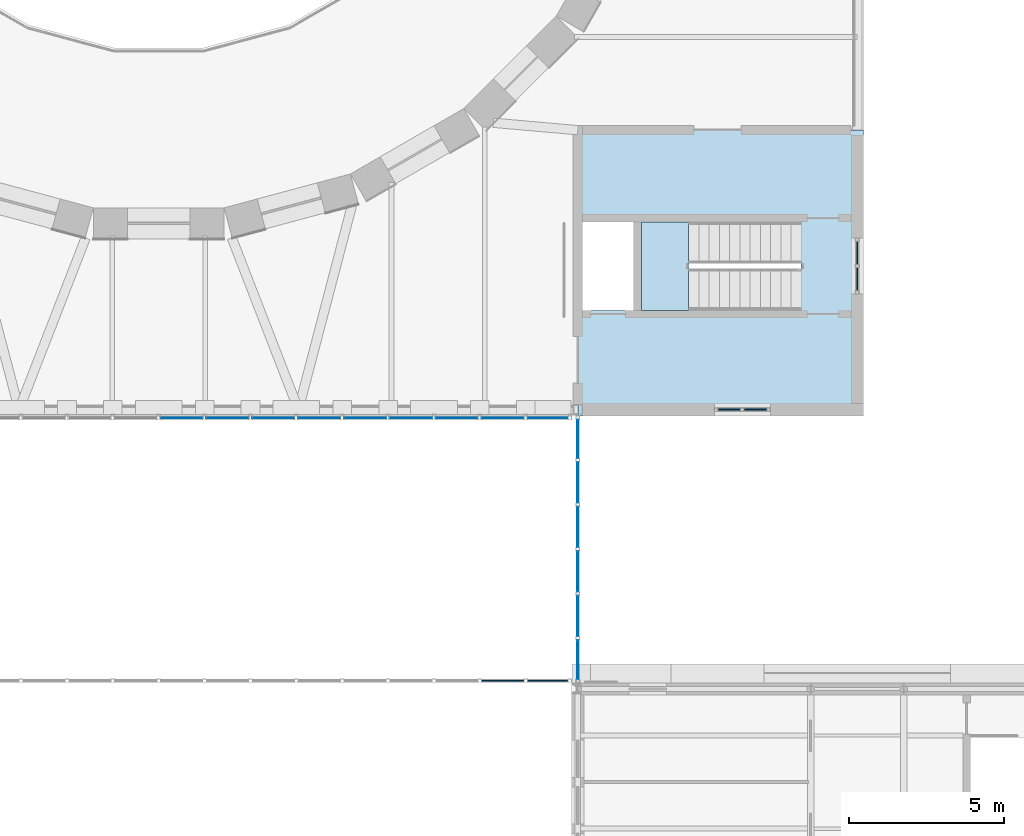
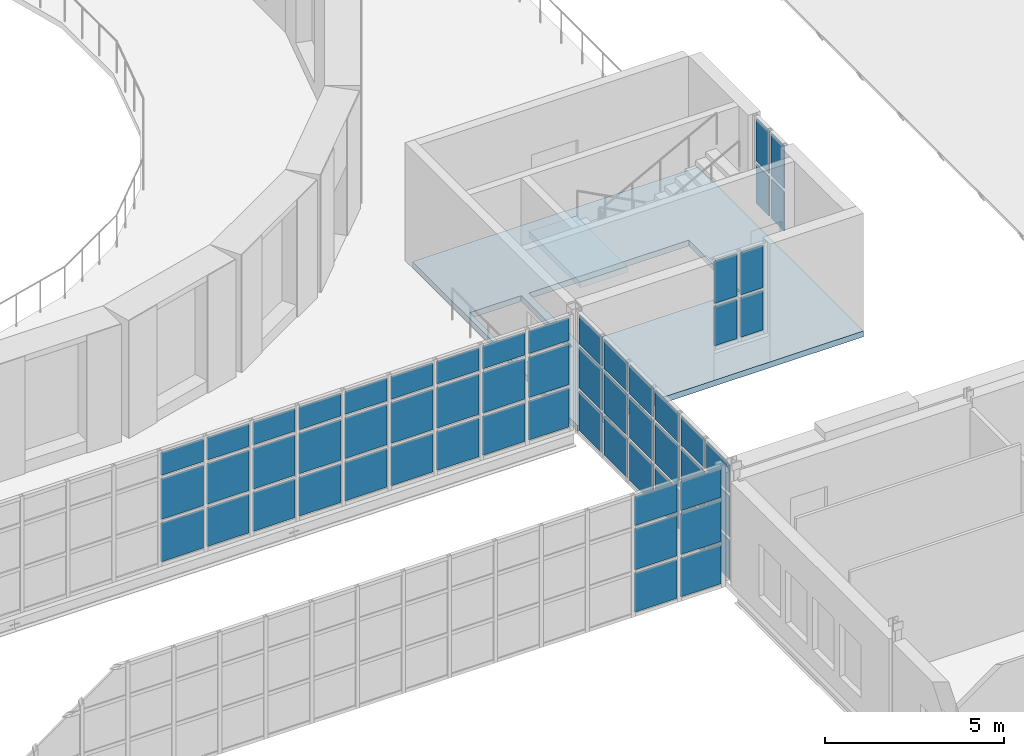
# One storey, part 95 of 154: 59 plates, 2 slabs, 6 elements without a shape of their own.
"""IFC4 building model written with IfcOpenShell, lengths in metres."""

from ifc_helpers import new_model, si_unit, direction, frame, origin, origin_2d, place, context, subcontext, project, spatial, polyline, rectangle, outline, extrude, material, layer, layer_set, type_object, element, aggregate, save


model = new_model("IFC4")

# Units and contexts
model_context = context("Model", 3, precision=1e-05, world=origin(), true_north=direction((0.0, 1.0)))
body_context = subcontext(model_context, "Body", "Model", "MODEL_VIEW")
ifc_project = project(units=[si_unit("LENGTHUNIT", "METRE"), si_unit("AREAUNIT", "SQUARE_METRE"), si_unit("VOLUMEUNIT", "CUBIC_METRE"), si_unit("PLANEANGLEUNIT", "RADIAN"), si_unit("MASSUNIT", "GRAM", prefix="KILO")], contexts=[model_context])

# Site, building, storey
site_placement = place(None, origin())
site = spatial("IfcSite", under=ifc_project, at=site_placement, CompositionType="ELEMENT")
building_placement = place(site_placement, origin())
building = spatial("IfcBuilding", under=site, at=building_placement, Name="Golden Quay Civic Hall", CompositionType="ELEMENT")
storey_placement = place(building_placement, frame((0.0, 0.0, 14.39990234375)))
storey = spatial("IfcBuildingStorey", under=building, at=storey_placement, Name="L03", CompositionType="ELEMENT", Elevation=14.39990234375)

# Slab
ifc_material_1 = material(Name="Concrete C35/45", Category="concrete")
ifc_layer_1 = layer(ifc_material_1, 0.199951171875)
ifc_layer_set_1 = layer_set([ifc_layer_1], Name="Composite floor 200")
slab_type_1 = type_object("IfcSlabType", Name="Composite floor 200", PredefinedType="FLOOR", material=ifc_layer_set_1)
slab_1_placement = place(storey_placement, frame((0.0, 0.0, -0.199951171875)))
element("IfcSlab", 1, at=slab_1_placement, inside=storey, type_object=slab_type_1, Name="Slab", PredefinedType="FLOOR", context=body_context, shape_type="SweptSolid", body=[
    extrude(outline(polyline([(108.199951171875, 72.0), (108.199951171875, 62.800048828125), (99.0, 62.800048828125), (99.0, 72.0), (108.199951171875, 72.0)]), holes=[polyline([(99.14990234375, 69.050048828125), (99.14990234375, 66.199951171875), (100.800048828125, 66.199951171875), (100.800048828125, 69.050048828125), (99.14990234375, 69.050048828125)]), polyline([(101.050048828125, 66.199951171875), (106.195068359375, 66.199951171875), (106.195068359375, 69.050048828125), (101.050048828125, 69.050048828125), (101.050048828125, 66.199951171875)])]), origin(), (0.0, 0.0, 1.0), 0.199951171875),
])

# Curtain wall, plates
ifc_material_2 = material(Name="Fire-resisting glass and steel", Category="steel")
curtain_wall_type_1 = type_object("IfcCurtainWallType", Name="Fire-resisting glazed curtain wall EI 120", PredefinedType="NOTDEFINED", material=ifc_material_2)
curtain_wall_1_placement = place(storey_placement, origin())
curtain_wall_1 = element("IfcCurtainWall", 2, at=curtain_wall_1_placement, inside=storey, type_object=curtain_wall_type_1, Name="CW3 curtain wall", PredefinedType="NOTDEFINED")
ifc_material_3 = material(Name="Fire-resisting laminated glass", Category="glass")
ifc_layer_2 = layer(ifc_material_3, 0.0400390625)
ifc_layer_set_2 = layer_set([ifc_layer_2], Name="Fire-resisting glazed panel 40")
plate_type_1 = type_object("IfcPlateType", Name="Fire-resisting glazed panel 40", PredefinedType="CURTAIN_PANEL", material=ifc_layer_set_2)
plate_1_placement = place(storey_placement, frame((96.583251953125, 54.27001953125, -0.080078125), z_axis=(0.0, 0.0, 1.0), x_axis=(1.0, 0.0, 0.0)))
plate_1 = element("IfcPlate", 3, at=plate_1_placement, type_object=plate_type_1, Name="CW3 panel 17.1", PredefinedType="CURTAIN_PANEL", context=body_context, shape_type="SweptSolid", body=[
    extrude(rectangle(XDim=1.357666015625, YDim=0.0400390625, at=origin_2d()), origin(), (0.0, 0.0, 1.0), 1.320068359375),
])
plate_2_placement = place(storey_placement, frame((96.583251953125, 54.27001953125, 1.360107421875), z_axis=(0.0, 0.0, 1.0), x_axis=(1.0, 0.0, 0.0)))
plate_2 = element("IfcPlate", 4, at=plate_2_placement, type_object=plate_type_1, Name="CW3 panel 17.2", PredefinedType="CURTAIN_PANEL", context=body_context, shape_type="SweptSolid", body=[
    extrude(rectangle(XDim=1.357666015625, YDim=0.0400390625, at=origin_2d()), origin(), (0.0, 0.0, 1.0), 1.3798828125),
])
plate_3_placement = place(storey_placement, frame((96.583251953125, 54.27001953125, 2.8603515625), z_axis=(0.0, 0.0, 1.0), x_axis=(1.0, 0.0, 0.0)))
plate_3 = element("IfcPlate", 5, at=plate_3_placement, type_object=plate_type_1, Name="CW3 panel 17.3", PredefinedType="CURTAIN_PANEL", context=body_context, shape_type="SweptSolid", body=[
    extrude(rectangle(XDim=1.357666015625, YDim=0.0400390625, at=origin_2d()), origin(), (0.0, 0.0, 1.0), 0.969970703125),
])
plate_4_placement = place(storey_placement, frame((98.031005859375, 54.27001953125, -0.080078125), z_axis=(0.0, 0.0, 1.0), x_axis=(1.0, 0.0, 0.0)))
plate_4 = element("IfcPlate", 6, at=plate_4_placement, type_object=plate_type_1, Name="CW3 panel 18.1", PredefinedType="CURTAIN_PANEL", context=body_context, shape_type="SweptSolid", body=[
    extrude(rectangle(XDim=1.2978515625, YDim=0.0400390625, at=origin_2d()), origin(), (0.0, 0.0, 1.0), 1.320068359375),
])
plate_5_placement = place(storey_placement, frame((98.031005859375, 54.27001953125, 1.360107421875), z_axis=(0.0, 0.0, 1.0), x_axis=(1.0, 0.0, 0.0)))
plate_5 = element("IfcPlate", 7, at=plate_5_placement, type_object=plate_type_1, Name="CW3 panel 18.2", PredefinedType="CURTAIN_PANEL", context=body_context, shape_type="SweptSolid", body=[
    extrude(rectangle(XDim=1.2978515625, YDim=0.0400390625, at=origin_2d()), origin(), (0.0, 0.0, 1.0), 1.3798828125),
])
plate_6_placement = place(storey_placement, frame((98.031005859375, 54.27001953125, 2.8603515625), z_axis=(0.0, 0.0, 1.0), x_axis=(1.0, 0.0, 0.0)))
plate_6 = element("IfcPlate", 8, at=plate_6_placement, type_object=plate_type_1, Name="CW3 panel 18.3", PredefinedType="CURTAIN_PANEL", context=body_context, shape_type="SweptSolid", body=[
    extrude(rectangle(XDim=1.2978515625, YDim=0.0400390625, at=origin_2d()), origin(), (0.0, 0.0, 1.0), 0.969970703125),
])
aggregate(curtain_wall_1, [plate_1, plate_2, plate_3, plate_4, plate_5, plate_6])

ifc_material_4 = material(Name="Fire-resisting glass and steel", Category="steel")
curtain_wall_type_2 = type_object("IfcCurtainWallType", Name="Fire-resisting glazed stair curtain wall EI 120", PredefinedType="NOTDEFINED", material=ifc_material_4)
curtain_wall_2_placement = place(storey_placement, origin())
curtain_wall_2 = element("IfcCurtainWall", 9, at=curtain_wall_2_placement, inside=storey, type_object=curtain_wall_type_2, Name="CW4 stair curtain wall", PredefinedType="NOTDEFINED")
ifc_material_5 = material(Name="Fire-resisting laminated glass", Category="glass")
ifc_layer_3 = layer(ifc_material_5, 0.0400390625)
ifc_layer_set_3 = layer_set([ifc_layer_3], Name="Fire-resisting glazed stair panel 40")
plate_type_2 = type_object("IfcPlateType", Name="Fire-resisting glazed stair panel 40", PredefinedType="CURTAIN_PANEL", material=ifc_layer_set_3)
plate_7_placement = place(storey_placement, frame((103.8798828125, 63.0, 1.02001953125), z_axis=(0.0, 0.0, 1.0), x_axis=(1.0, 0.0, 0.0)))
plate_7 = element("IfcPlate", 10, at=plate_7_placement, type_object=plate_type_2, Name="CW4 panel 1.1", PredefinedType="CURTAIN_PANEL", context=body_context, shape_type="SweptSolid", body=[
    extrude(rectangle(XDim=0.719970703125, YDim=0.0400390625, at=origin_2d()), origin(), (0.0, 0.0, 1.0), 1.320068359375),
])
plate_8_placement = place(storey_placement, frame((103.8798828125, 63.0, 2.460205078125), z_axis=(0.0, 0.0, 1.0), x_axis=(1.0, 0.0, 0.0)))
plate_8 = element("IfcPlate", 11, at=plate_8_placement, type_object=plate_type_2, Name="CW4 panel 1.2", PredefinedType="CURTAIN_PANEL", context=body_context, shape_type="SweptSolid", body=[
    extrude(rectangle(XDim=0.719970703125, YDim=0.0400390625, at=origin_2d()), origin(), (0.0, 0.0, 1.0), 1.419921875),
])
plate_9_placement = place(storey_placement, frame((104.719970703125, 63.0, 1.02001953125), z_axis=(0.0, 0.0, 1.0), x_axis=(1.0, 0.0, 0.0)))
plate_9 = element("IfcPlate", 12, at=plate_9_placement, type_object=plate_type_2, Name="CW4 panel 2.1", PredefinedType="CURTAIN_PANEL", context=body_context, shape_type="SweptSolid", body=[
    extrude(rectangle(XDim=0.719970703125, YDim=0.0400390625, at=origin_2d()), origin(), (0.0, 0.0, 1.0), 1.320068359375),
])
plate_10_placement = place(storey_placement, frame((104.719970703125, 63.0, 2.460205078125), z_axis=(0.0, 0.0, 1.0), x_axis=(1.0, 0.0, 0.0)))
plate_10 = element("IfcPlate", 13, at=plate_10_placement, type_object=plate_type_2, Name="CW4 panel 2.2", PredefinedType="CURTAIN_PANEL", context=body_context, shape_type="SweptSolid", body=[
    extrude(rectangle(XDim=0.719970703125, YDim=0.0400390625, at=origin_2d()), origin(), (0.0, 0.0, 1.0), 1.419921875),
])
aggregate(curtain_wall_2, [plate_7, plate_8, plate_9, plate_10])

curtain_wall_3_placement = place(storey_placement, origin())
curtain_wall_3 = element("IfcCurtainWall", 14, at=curtain_wall_3_placement, inside=storey, type_object=curtain_wall_type_2, Name="CW4 stair curtain wall", PredefinedType="NOTDEFINED")
plate_11_placement = place(storey_placement, frame((108.0, 67.205078125, 1.02001953125), z_axis=(0.0, 0.0, 1.0), x_axis=(0.0, 1.0, 0.0)))
plate_11 = element("IfcPlate", 15, at=plate_11_placement, type_object=plate_type_2, Name="CW4 panel 1.1", PredefinedType="CURTAIN_PANEL", context=body_context, shape_type="SweptSolid", body=[
    extrude(rectangle(XDim=0.719970703125, YDim=0.0400390625, at=origin_2d()), origin(), (0.0, 0.0, 1.0), 1.320068359375),
])
plate_12_placement = place(storey_placement, frame((108.0, 67.205078125, 2.460205078125), z_axis=(0.0, 0.0, 1.0), x_axis=(0.0, 1.0, 0.0)))
plate_12 = element("IfcPlate", 16, at=plate_12_placement, type_object=plate_type_2, Name="CW4 panel 1.2", PredefinedType="CURTAIN_PANEL", context=body_context, shape_type="SweptSolid", body=[
    extrude(rectangle(XDim=0.719970703125, YDim=0.0400390625, at=origin_2d()), origin(), (0.0, 0.0, 1.0), 1.419921875),
])
plate_13_placement = place(storey_placement, frame((108.0, 68.044921875, 1.02001953125), z_axis=(0.0, 0.0, 1.0), x_axis=(0.0, 1.0, 0.0)))
plate_13 = element("IfcPlate", 17, at=plate_13_placement, type_object=plate_type_2, Name="CW4 panel 2.1", PredefinedType="CURTAIN_PANEL", context=body_context, shape_type="SweptSolid", body=[
    extrude(rectangle(XDim=0.719970703125, YDim=0.0400390625, at=origin_2d()), origin(), (0.0, 0.0, 1.0), 1.320068359375),
])
plate_14_placement = place(storey_placement, frame((108.0, 68.044921875, 2.460205078125), z_axis=(0.0, 0.0, 1.0), x_axis=(0.0, 1.0, 0.0)))
plate_14 = element("IfcPlate", 18, at=plate_14_placement, type_object=plate_type_2, Name="CW4 panel 2.2", PredefinedType="CURTAIN_PANEL", context=body_context, shape_type="SweptSolid", body=[
    extrude(rectangle(XDim=0.719970703125, YDim=0.0400390625, at=origin_2d()), origin(), (0.0, 0.0, 1.0), 1.419921875),
])
aggregate(curtain_wall_3, [plate_11, plate_12, plate_13, plate_14])

ifc_material_6 = material(Name="Glass and aluminium", Category="aluminium")
curtain_wall_type_3 = type_object("IfcCurtainWallType", Name="Glazed curtain wall 1500 module", PredefinedType="NOTDEFINED", material=ifc_material_6)
curtain_wall_4_placement = place(storey_placement, origin())
curtain_wall_4 = element("IfcCurtainWall", 19, at=curtain_wall_4_placement, inside=storey, type_object=curtain_wall_type_3, Name="CW1 curtain wall", PredefinedType="NOTDEFINED")
ifc_material_7 = material(Name="Laminated glass", Category="glass")
ifc_layer_4 = layer(ifc_material_7, 0.028076171875)
ifc_layer_set_4 = layer_set([ifc_layer_4], Name="Laminated glass panel 28")
plate_type_3 = type_object("IfcPlateType", Name="Laminated glass panel 28", PredefinedType="CURTAIN_PANEL", material=ifc_layer_set_4)
plate_15_placement = place(storey_placement, frame((86.23876953125, 62.72998046875, 0.1201171875), z_axis=(0.0, 0.0, 1.0), x_axis=(1.0, 0.0, 0.0)))
plate_15 = element("IfcPlate", 20, at=plate_15_placement, type_object=plate_type_3, Name="CW1 panel 10.1", PredefinedType="CURTAIN_PANEL", context=body_context, shape_type="SweptSolid", body=[
    extrude(rectangle(XDim=1.357666015625, YDim=0.028076171875, at=origin_2d()), origin(), (0.0, 0.0, 1.0), 1.320068359375),
])
plate_16_placement = place(storey_placement, frame((86.23876953125, 62.72998046875, 1.56005859375), z_axis=(0.0, 0.0, 1.0), x_axis=(1.0, 0.0, 0.0)))
plate_16 = element("IfcPlate", 21, at=plate_16_placement, type_object=plate_type_3, Name="CW1 panel 10.2", PredefinedType="CURTAIN_PANEL", context=body_context, shape_type="SweptSolid", body=[
    extrude(rectangle(XDim=1.357666015625, YDim=0.028076171875, at=origin_2d()), origin(), (0.0, 0.0, 1.0), 1.3798828125),
])
plate_17_placement = place(storey_placement, frame((86.23876953125, 62.72998046875, 3.06005859375), z_axis=(0.0, 0.0, 1.0), x_axis=(1.0, 0.0, 0.0)))
plate_17 = element("IfcPlate", 22, at=plate_17_placement, type_object=plate_type_3, Name="CW1 panel 10.3", PredefinedType="CURTAIN_PANEL", context=body_context, shape_type="SweptSolid", body=[
    extrude(rectangle(XDim=1.357666015625, YDim=0.028076171875, at=origin_2d()), origin(), (0.0, 0.0, 1.0), 0.77001953125),
])
plate_18_placement = place(storey_placement, frame((87.716552734375, 62.72998046875, 0.1201171875), z_axis=(0.0, 0.0, 1.0), x_axis=(1.0, 0.0, 0.0)))
plate_18 = element("IfcPlate", 23, at=plate_18_placement, type_object=plate_type_3, Name="CW1 panel 11.1", PredefinedType="CURTAIN_PANEL", context=body_context, shape_type="SweptSolid", body=[
    extrude(rectangle(XDim=1.357666015625, YDim=0.028076171875, at=origin_2d()), origin(), (0.0, 0.0, 1.0), 1.320068359375),
])
plate_19_placement = place(storey_placement, frame((87.716552734375, 62.72998046875, 1.56005859375), z_axis=(0.0, 0.0, 1.0), x_axis=(1.0, 0.0, 0.0)))
plate_19 = element("IfcPlate", 24, at=plate_19_placement, type_object=plate_type_3, Name="CW1 panel 11.2", PredefinedType="CURTAIN_PANEL", context=body_context, shape_type="SweptSolid", body=[
    extrude(rectangle(XDim=1.357666015625, YDim=0.028076171875, at=origin_2d()), origin(), (0.0, 0.0, 1.0), 1.3798828125),
])
plate_20_placement = place(storey_placement, frame((87.716552734375, 62.72998046875, 3.06005859375), z_axis=(0.0, 0.0, 1.0), x_axis=(1.0, 0.0, 0.0)))
plate_20 = element("IfcPlate", 25, at=plate_20_placement, type_object=plate_type_3, Name="CW1 panel 11.3", PredefinedType="CURTAIN_PANEL", context=body_context, shape_type="SweptSolid", body=[
    extrude(rectangle(XDim=1.357666015625, YDim=0.028076171875, at=origin_2d()), origin(), (0.0, 0.0, 1.0), 0.77001953125),
])
plate_21_placement = place(storey_placement, frame((89.1943359375, 62.72998046875, 0.1201171875), z_axis=(0.0, 0.0, 1.0), x_axis=(1.0, 0.0, 0.0)))
plate_21 = element("IfcPlate", 26, at=plate_21_placement, type_object=plate_type_3, Name="CW1 panel 12.1", PredefinedType="CURTAIN_PANEL", context=body_context, shape_type="SweptSolid", body=[
    extrude(rectangle(XDim=1.357666015625, YDim=0.028076171875, at=origin_2d()), origin(), (0.0, 0.0, 1.0), 1.320068359375),
])
plate_22_placement = place(storey_placement, frame((89.1943359375, 62.72998046875, 1.56005859375), z_axis=(0.0, 0.0, 1.0), x_axis=(1.0, 0.0, 0.0)))
plate_22 = element("IfcPlate", 27, at=plate_22_placement, type_object=plate_type_3, Name="CW1 panel 12.2", PredefinedType="CURTAIN_PANEL", context=body_context, shape_type="SweptSolid", body=[
    extrude(rectangle(XDim=1.357666015625, YDim=0.028076171875, at=origin_2d()), origin(), (0.0, 0.0, 1.0), 1.3798828125),
])
plate_23_placement = place(storey_placement, frame((89.1943359375, 62.72998046875, 3.06005859375), z_axis=(0.0, 0.0, 1.0), x_axis=(1.0, 0.0, 0.0)))
plate_23 = element("IfcPlate", 28, at=plate_23_placement, type_object=plate_type_3, Name="CW1 panel 12.3", PredefinedType="CURTAIN_PANEL", context=body_context, shape_type="SweptSolid", body=[
    extrude(rectangle(XDim=1.357666015625, YDim=0.028076171875, at=origin_2d()), origin(), (0.0, 0.0, 1.0), 0.77001953125),
])
plate_24_placement = place(storey_placement, frame((90.672119140625, 62.72998046875, 0.1201171875), z_axis=(0.0, 0.0, 1.0), x_axis=(1.0, 0.0, 0.0)))
plate_24 = element("IfcPlate", 29, at=plate_24_placement, type_object=plate_type_3, Name="CW1 panel 13.1", PredefinedType="CURTAIN_PANEL", context=body_context, shape_type="SweptSolid", body=[
    extrude(rectangle(XDim=1.357666015625, YDim=0.028076171875, at=origin_2d()), origin(), (0.0, 0.0, 1.0), 1.320068359375),
])
plate_25_placement = place(storey_placement, frame((90.672119140625, 62.72998046875, 1.56005859375), z_axis=(0.0, 0.0, 1.0), x_axis=(1.0, 0.0, 0.0)))
plate_25 = element("IfcPlate", 30, at=plate_25_placement, type_object=plate_type_3, Name="CW1 panel 13.2", PredefinedType="CURTAIN_PANEL", context=body_context, shape_type="SweptSolid", body=[
    extrude(rectangle(XDim=1.357666015625, YDim=0.028076171875, at=origin_2d()), origin(), (0.0, 0.0, 1.0), 1.3798828125),
])
plate_26_placement = place(storey_placement, frame((90.672119140625, 62.72998046875, 3.06005859375), z_axis=(0.0, 0.0, 1.0), x_axis=(1.0, 0.0, 0.0)))
plate_26 = element("IfcPlate", 31, at=plate_26_placement, type_object=plate_type_3, Name="CW1 panel 13.3", PredefinedType="CURTAIN_PANEL", context=body_context, shape_type="SweptSolid", body=[
    extrude(rectangle(XDim=1.357666015625, YDim=0.028076171875, at=origin_2d()), origin(), (0.0, 0.0, 1.0), 0.77001953125),
])
plate_27_placement = place(storey_placement, frame((92.14990234375, 62.72998046875, 0.1201171875), z_axis=(0.0, 0.0, 1.0), x_axis=(1.0, 0.0, 0.0)))
plate_27 = element("IfcPlate", 32, at=plate_27_placement, type_object=plate_type_3, Name="CW1 panel 14.1", PredefinedType="CURTAIN_PANEL", context=body_context, shape_type="SweptSolid", body=[
    extrude(rectangle(XDim=1.357666015625, YDim=0.028076171875, at=origin_2d()), origin(), (0.0, 0.0, 1.0), 1.320068359375),
])
plate_28_placement = place(storey_placement, frame((92.14990234375, 62.72998046875, 1.56005859375), z_axis=(0.0, 0.0, 1.0), x_axis=(1.0, 0.0, 0.0)))
plate_28 = element("IfcPlate", 33, at=plate_28_placement, type_object=plate_type_3, Name="CW1 panel 14.2", PredefinedType="CURTAIN_PANEL", context=body_context, shape_type="SweptSolid", body=[
    extrude(rectangle(XDim=1.357666015625, YDim=0.028076171875, at=origin_2d()), origin(), (0.0, 0.0, 1.0), 1.3798828125),
])
plate_29_placement = place(storey_placement, frame((92.14990234375, 62.72998046875, 3.06005859375), z_axis=(0.0, 0.0, 1.0), x_axis=(1.0, 0.0, 0.0)))
plate_29 = element("IfcPlate", 34, at=plate_29_placement, type_object=plate_type_3, Name="CW1 panel 14.3", PredefinedType="CURTAIN_PANEL", context=body_context, shape_type="SweptSolid", body=[
    extrude(rectangle(XDim=1.357666015625, YDim=0.028076171875, at=origin_2d()), origin(), (0.0, 0.0, 1.0), 0.77001953125),
])
plate_30_placement = place(storey_placement, frame((93.627685546875, 62.72998046875, 0.1201171875), z_axis=(0.0, 0.0, 1.0), x_axis=(1.0, 0.0, 0.0)))
plate_30 = element("IfcPlate", 35, at=plate_30_placement, type_object=plate_type_3, Name="CW1 panel 15.1", PredefinedType="CURTAIN_PANEL", context=body_context, shape_type="SweptSolid", body=[
    extrude(rectangle(XDim=1.357666015625, YDim=0.028076171875, at=origin_2d()), origin(), (0.0, 0.0, 1.0), 1.320068359375),
])
plate_31_placement = place(storey_placement, frame((93.627685546875, 62.72998046875, 1.56005859375), z_axis=(0.0, 0.0, 1.0), x_axis=(1.0, 0.0, 0.0)))
plate_31 = element("IfcPlate", 36, at=plate_31_placement, type_object=plate_type_3, Name="CW1 panel 15.2", PredefinedType="CURTAIN_PANEL", context=body_context, shape_type="SweptSolid", body=[
    extrude(rectangle(XDim=1.357666015625, YDim=0.028076171875, at=origin_2d()), origin(), (0.0, 0.0, 1.0), 1.3798828125),
])
plate_32_placement = place(storey_placement, frame((93.627685546875, 62.72998046875, 3.06005859375), z_axis=(0.0, 0.0, 1.0), x_axis=(1.0, 0.0, 0.0)))
plate_32 = element("IfcPlate", 37, at=plate_32_placement, type_object=plate_type_3, Name="CW1 panel 15.3", PredefinedType="CURTAIN_PANEL", context=body_context, shape_type="SweptSolid", body=[
    extrude(rectangle(XDim=1.357666015625, YDim=0.028076171875, at=origin_2d()), origin(), (0.0, 0.0, 1.0), 0.77001953125),
])
plate_33_placement = place(storey_placement, frame((95.10546875, 62.72998046875, 0.1201171875), z_axis=(0.0, 0.0, 1.0), x_axis=(1.0, 0.0, 0.0)))
plate_33 = element("IfcPlate", 38, at=plate_33_placement, type_object=plate_type_3, Name="CW1 panel 16.1", PredefinedType="CURTAIN_PANEL", context=body_context, shape_type="SweptSolid", body=[
    extrude(rectangle(XDim=1.357666015625, YDim=0.028076171875, at=origin_2d()), origin(), (0.0, 0.0, 1.0), 1.320068359375),
])
plate_34_placement = place(storey_placement, frame((95.10546875, 62.72998046875, 1.56005859375), z_axis=(0.0, 0.0, 1.0), x_axis=(1.0, 0.0, 0.0)))
plate_34 = element("IfcPlate", 39, at=plate_34_placement, type_object=plate_type_3, Name="CW1 panel 16.2", PredefinedType="CURTAIN_PANEL", context=body_context, shape_type="SweptSolid", body=[
    extrude(rectangle(XDim=1.357666015625, YDim=0.028076171875, at=origin_2d()), origin(), (0.0, 0.0, 1.0), 1.3798828125),
])
plate_35_placement = place(storey_placement, frame((95.10546875, 62.72998046875, 3.06005859375), z_axis=(0.0, 0.0, 1.0), x_axis=(1.0, 0.0, 0.0)))
plate_35 = element("IfcPlate", 40, at=plate_35_placement, type_object=plate_type_3, Name="CW1 panel 16.3", PredefinedType="CURTAIN_PANEL", context=body_context, shape_type="SweptSolid", body=[
    extrude(rectangle(XDim=1.357666015625, YDim=0.028076171875, at=origin_2d()), origin(), (0.0, 0.0, 1.0), 0.77001953125),
])
plate_36_placement = place(storey_placement, frame((96.583251953125, 62.72998046875, 0.1201171875), z_axis=(0.0, 0.0, 1.0), x_axis=(1.0, 0.0, 0.0)))
plate_36 = element("IfcPlate", 41, at=plate_36_placement, type_object=plate_type_3, Name="CW1 panel 17.1", PredefinedType="CURTAIN_PANEL", context=body_context, shape_type="SweptSolid", body=[
    extrude(rectangle(XDim=1.357666015625, YDim=0.028076171875, at=origin_2d()), origin(), (0.0, 0.0, 1.0), 1.320068359375),
])
plate_37_placement = place(storey_placement, frame((96.583251953125, 62.72998046875, 1.56005859375), z_axis=(0.0, 0.0, 1.0), x_axis=(1.0, 0.0, 0.0)))
plate_37 = element("IfcPlate", 42, at=plate_37_placement, type_object=plate_type_3, Name="CW1 panel 17.2", PredefinedType="CURTAIN_PANEL", context=body_context, shape_type="SweptSolid", body=[
    extrude(rectangle(XDim=1.357666015625, YDim=0.028076171875, at=origin_2d()), origin(), (0.0, 0.0, 1.0), 1.3798828125),
])
plate_38_placement = place(storey_placement, frame((96.583251953125, 62.72998046875, 3.06005859375), z_axis=(0.0, 0.0, 1.0), x_axis=(1.0, 0.0, 0.0)))
plate_38 = element("IfcPlate", 43, at=plate_38_placement, type_object=plate_type_3, Name="CW1 panel 17.3", PredefinedType="CURTAIN_PANEL", context=body_context, shape_type="SweptSolid", body=[
    extrude(rectangle(XDim=1.357666015625, YDim=0.028076171875, at=origin_2d()), origin(), (0.0, 0.0, 1.0), 0.77001953125),
])
plate_39_placement = place(storey_placement, frame((98.031005859375, 62.72998046875, 0.1201171875), z_axis=(0.0, 0.0, 1.0), x_axis=(1.0, 0.0, 0.0)))
plate_39 = element("IfcPlate", 44, at=plate_39_placement, type_object=plate_type_3, Name="CW1 panel 18.1", PredefinedType="CURTAIN_PANEL", context=body_context, shape_type="SweptSolid", body=[
    extrude(rectangle(XDim=1.2978515625, YDim=0.028076171875, at=origin_2d()), origin(), (0.0, 0.0, 1.0), 1.320068359375),
])
plate_40_placement = place(storey_placement, frame((98.031005859375, 62.72998046875, 1.56005859375), z_axis=(0.0, 0.0, 1.0), x_axis=(1.0, 0.0, 0.0)))
plate_40 = element("IfcPlate", 45, at=plate_40_placement, type_object=plate_type_3, Name="CW1 panel 18.2", PredefinedType="CURTAIN_PANEL", context=body_context, shape_type="SweptSolid", body=[
    extrude(rectangle(XDim=1.2978515625, YDim=0.028076171875, at=origin_2d()), origin(), (0.0, 0.0, 1.0), 1.3798828125),
])
plate_41_placement = place(storey_placement, frame((98.031005859375, 62.72998046875, 3.06005859375), z_axis=(0.0, 0.0, 1.0), x_axis=(1.0, 0.0, 0.0)))
plate_41 = element("IfcPlate", 46, at=plate_41_placement, type_object=plate_type_3, Name="CW1 panel 18.3", PredefinedType="CURTAIN_PANEL", context=body_context, shape_type="SweptSolid", body=[
    extrude(rectangle(XDim=1.2978515625, YDim=0.028076171875, at=origin_2d()), origin(), (0.0, 0.0, 1.0), 0.77001953125),
])
aggregate(curtain_wall_4, [plate_15, plate_16, plate_17, plate_18, plate_19, plate_20, plate_21, plate_22, plate_23, plate_24, plate_25, plate_26, plate_27, plate_28, plate_29, plate_30, plate_31, plate_32, plate_33, plate_34, plate_35, plate_36, plate_37, plate_38, plate_39, plate_40, plate_41])

curtain_wall_5_placement = place(storey_placement, origin())
curtain_wall_5 = element("IfcCurtainWall", 47, at=curtain_wall_5_placement, inside=storey, type_object=curtain_wall_type_3, Name="CW1 curtain wall", PredefinedType="NOTDEFINED")
plate_42_placement = place(storey_placement, frame((99.0, 54.94677734375, -0.080078125), z_axis=(0.0, 0.0, 1.0), x_axis=(0.0, 1.0, 0.0)))
plate_42 = element("IfcPlate", 48, at=plate_42_placement, type_object=plate_type_3, Name="CW1 panel 1.1", PredefinedType="CURTAIN_PANEL", context=body_context, shape_type="SweptSolid", body=[
    extrude(rectangle(XDim=1.25341796875, YDim=0.028076171875, at=origin_2d()), origin(), (0.0, 0.0, 1.0), 1.320068359375),
])
plate_43_placement = place(storey_placement, frame((99.0, 54.94677734375, 1.360107421875), z_axis=(0.0, 0.0, 1.0), x_axis=(0.0, 1.0, 0.0)))
plate_43 = element("IfcPlate", 49, at=plate_43_placement, type_object=plate_type_3, Name="CW1 panel 1.2", PredefinedType="CURTAIN_PANEL", context=body_context, shape_type="SweptSolid", body=[
    extrude(rectangle(XDim=1.25341796875, YDim=0.028076171875, at=origin_2d()), origin(), (0.0, 0.0, 1.0), 1.3798828125),
])
plate_44_placement = place(storey_placement, frame((99.0, 54.94677734375, 2.8603515625), z_axis=(0.0, 0.0, 1.0), x_axis=(0.0, 1.0, 0.0)))
plate_44 = element("IfcPlate", 50, at=plate_44_placement, type_object=plate_type_3, Name="CW1 panel 1.3", PredefinedType="CURTAIN_PANEL", context=body_context, shape_type="SweptSolid", body=[
    extrude(rectangle(XDim=1.25341796875, YDim=0.028076171875, at=origin_2d()), origin(), (0.0, 0.0, 1.0), 0.969970703125),
])
plate_45_placement = place(storey_placement, frame((99.0, 56.35009765625, -0.080078125), z_axis=(0.0, 0.0, 1.0), x_axis=(0.0, 1.0, 0.0)))
plate_45 = element("IfcPlate", 51, at=plate_45_placement, type_object=plate_type_3, Name="CW1 panel 2.1", PredefinedType="CURTAIN_PANEL", context=body_context, shape_type="SweptSolid", body=[
    extrude(rectangle(XDim=1.313232421875, YDim=0.028076171875, at=origin_2d()), origin(), (0.0, 0.0, 1.0), 1.320068359375),
])
plate_46_placement = place(storey_placement, frame((99.0, 56.35009765625, 1.360107421875), z_axis=(0.0, 0.0, 1.0), x_axis=(0.0, 1.0, 0.0)))
plate_46 = element("IfcPlate", 52, at=plate_46_placement, type_object=plate_type_3, Name="CW1 panel 2.2", PredefinedType="CURTAIN_PANEL", context=body_context, shape_type="SweptSolid", body=[
    extrude(rectangle(XDim=1.313232421875, YDim=0.028076171875, at=origin_2d()), origin(), (0.0, 0.0, 1.0), 1.3798828125),
])
plate_47_placement = place(storey_placement, frame((99.0, 56.35009765625, 2.8603515625), z_axis=(0.0, 0.0, 1.0), x_axis=(0.0, 1.0, 0.0)))
plate_47 = element("IfcPlate", 53, at=plate_47_placement, type_object=plate_type_3, Name="CW1 panel 2.3", PredefinedType="CURTAIN_PANEL", context=body_context, shape_type="SweptSolid", body=[
    extrude(rectangle(XDim=1.313232421875, YDim=0.028076171875, at=origin_2d()), origin(), (0.0, 0.0, 1.0), 0.969970703125),
])
plate_48_placement = place(storey_placement, frame((99.0, 57.783447265625, -0.080078125), z_axis=(0.0, 0.0, 1.0), x_axis=(0.0, 1.0, 0.0)))
plate_48 = element("IfcPlate", 54, at=plate_48_placement, type_object=plate_type_3, Name="CW1 panel 3.1", PredefinedType="CURTAIN_PANEL", context=body_context, shape_type="SweptSolid", body=[
    extrude(rectangle(XDim=1.313232421875, YDim=0.028076171875, at=origin_2d()), origin(), (0.0, 0.0, 1.0), 1.320068359375),
])
plate_49_placement = place(storey_placement, frame((99.0, 57.783447265625, 1.360107421875), z_axis=(0.0, 0.0, 1.0), x_axis=(0.0, 1.0, 0.0)))
plate_49 = element("IfcPlate", 55, at=plate_49_placement, type_object=plate_type_3, Name="CW1 panel 3.2", PredefinedType="CURTAIN_PANEL", context=body_context, shape_type="SweptSolid", body=[
    extrude(rectangle(XDim=1.313232421875, YDim=0.028076171875, at=origin_2d()), origin(), (0.0, 0.0, 1.0), 1.3798828125),
])
plate_50_placement = place(storey_placement, frame((99.0, 57.783447265625, 2.8603515625), z_axis=(0.0, 0.0, 1.0), x_axis=(0.0, 1.0, 0.0)))
plate_50 = element("IfcPlate", 56, at=plate_50_placement, type_object=plate_type_3, Name="CW1 panel 3.3", PredefinedType="CURTAIN_PANEL", context=body_context, shape_type="SweptSolid", body=[
    extrude(rectangle(XDim=1.313232421875, YDim=0.028076171875, at=origin_2d()), origin(), (0.0, 0.0, 1.0), 0.969970703125),
])
plate_51_placement = place(storey_placement, frame((99.0, 59.216552734375, -0.080078125), z_axis=(0.0, 0.0, 1.0), x_axis=(0.0, 1.0, 0.0)))
plate_51 = element("IfcPlate", 57, at=plate_51_placement, type_object=plate_type_3, Name="CW1 panel 4.1", PredefinedType="CURTAIN_PANEL", context=body_context, shape_type="SweptSolid", body=[
    extrude(rectangle(XDim=1.313232421875, YDim=0.028076171875, at=origin_2d()), origin(), (0.0, 0.0, 1.0), 1.320068359375),
])
plate_52_placement = place(storey_placement, frame((99.0, 59.216552734375, 1.360107421875), z_axis=(0.0, 0.0, 1.0), x_axis=(0.0, 1.0, 0.0)))
plate_52 = element("IfcPlate", 58, at=plate_52_placement, type_object=plate_type_3, Name="CW1 panel 4.2", PredefinedType="CURTAIN_PANEL", context=body_context, shape_type="SweptSolid", body=[
    extrude(rectangle(XDim=1.313232421875, YDim=0.028076171875, at=origin_2d()), origin(), (0.0, 0.0, 1.0), 1.3798828125),
])
plate_53_placement = place(storey_placement, frame((99.0, 59.216552734375, 2.8603515625), z_axis=(0.0, 0.0, 1.0), x_axis=(0.0, 1.0, 0.0)))
plate_53 = element("IfcPlate", 59, at=plate_53_placement, type_object=plate_type_3, Name="CW1 panel 4.3", PredefinedType="CURTAIN_PANEL", context=body_context, shape_type="SweptSolid", body=[
    extrude(rectangle(XDim=1.313232421875, YDim=0.028076171875, at=origin_2d()), origin(), (0.0, 0.0, 1.0), 0.969970703125),
])
plate_54_placement = place(storey_placement, frame((99.0, 60.64990234375, -0.080078125), z_axis=(0.0, 0.0, 1.0), x_axis=(0.0, 1.0, 0.0)))
plate_54 = element("IfcPlate", 60, at=plate_54_placement, type_object=plate_type_3, Name="CW1 panel 5.1", PredefinedType="CURTAIN_PANEL", context=body_context, shape_type="SweptSolid", body=[
    extrude(rectangle(XDim=1.313232421875, YDim=0.028076171875, at=origin_2d()), origin(), (0.0, 0.0, 1.0), 1.320068359375),
])
plate_55_placement = place(storey_placement, frame((99.0, 60.64990234375, 1.360107421875), z_axis=(0.0, 0.0, 1.0), x_axis=(0.0, 1.0, 0.0)))
plate_55 = element("IfcPlate", 61, at=plate_55_placement, type_object=plate_type_3, Name="CW1 panel 5.2", PredefinedType="CURTAIN_PANEL", context=body_context, shape_type="SweptSolid", body=[
    extrude(rectangle(XDim=1.313232421875, YDim=0.028076171875, at=origin_2d()), origin(), (0.0, 0.0, 1.0), 1.3798828125),
])
plate_56_placement = place(storey_placement, frame((99.0, 60.64990234375, 2.8603515625), z_axis=(0.0, 0.0, 1.0), x_axis=(0.0, 1.0, 0.0)))
plate_56 = element("IfcPlate", 62, at=plate_56_placement, type_object=plate_type_3, Name="CW1 panel 5.3", PredefinedType="CURTAIN_PANEL", context=body_context, shape_type="SweptSolid", body=[
    extrude(rectangle(XDim=1.313232421875, YDim=0.028076171875, at=origin_2d()), origin(), (0.0, 0.0, 1.0), 0.969970703125),
])
plate_57_placement = place(storey_placement, frame((99.0, 62.05322265625, -0.080078125), z_axis=(0.0, 0.0, 1.0), x_axis=(0.0, 1.0, 0.0)))
plate_57 = element("IfcPlate", 63, at=plate_57_placement, type_object=plate_type_3, Name="CW1 panel 6.1", PredefinedType="CURTAIN_PANEL", context=body_context, shape_type="SweptSolid", body=[
    extrude(rectangle(XDim=1.25341796875, YDim=0.028076171875, at=origin_2d()), origin(), (0.0, 0.0, 1.0), 1.320068359375),
])
plate_58_placement = place(storey_placement, frame((99.0, 62.05322265625, 1.360107421875), z_axis=(0.0, 0.0, 1.0), x_axis=(0.0, 1.0, 0.0)))
plate_58 = element("IfcPlate", 64, at=plate_58_placement, type_object=plate_type_3, Name="CW1 panel 6.2", PredefinedType="CURTAIN_PANEL", context=body_context, shape_type="SweptSolid", body=[
    extrude(rectangle(XDim=1.25341796875, YDim=0.028076171875, at=origin_2d()), origin(), (0.0, 0.0, 1.0), 1.3798828125),
])
plate_59_placement = place(storey_placement, frame((99.0, 62.05322265625, 2.8603515625), z_axis=(0.0, 0.0, 1.0), x_axis=(0.0, 1.0, 0.0)))
plate_59 = element("IfcPlate", 65, at=plate_59_placement, type_object=plate_type_3, Name="CW1 panel 6.3", PredefinedType="CURTAIN_PANEL", context=body_context, shape_type="SweptSolid", body=[
    extrude(rectangle(XDim=1.25341796875, YDim=0.028076171875, at=origin_2d()), origin(), (0.0, 0.0, 1.0), 0.969970703125),
])
aggregate(curtain_wall_5, [plate_42, plate_43, plate_44, plate_45, plate_46, plate_47, plate_48, plate_49, plate_50, plate_51, plate_52, plate_53, plate_54, plate_55, plate_56, plate_57, plate_58, plate_59])

# Stair, slab
ifc_material_8 = material(Name="Concrete C35/45", Category="concrete")
stair_type = type_object("IfcStairType", Name="Reinforced concrete stair 1350", PredefinedType="HALF_TURN_STAIR", material=ifc_material_8)
stair_placement = place(storey_placement, origin())
stair = element("IfcStair", 66, at=stair_placement, inside=storey, type_object=stair_type, Name="L03 Core stair SE", PredefinedType="HALF_TURN_STAIR")
ifc_material_9 = material(Name="Concrete C35/45", Category="concrete")
ifc_layer_5 = layer(ifc_material_9, 0.199951171875)
ifc_layer_set_5 = layer_set([ifc_layer_5], Name="Reinforced concrete stair landing 200, Concrete C35/45")
slab_type_2 = type_object("IfcSlabType", Name="Reinforced concrete stair landing 200", PredefinedType="LANDING", material=ifc_layer_set_5)
slab_2_placement = place(storey_placement, frame((0.0, 0.0, 1.900146484375)))
slab_2 = element("IfcSlab", 67, at=slab_2_placement, type_object=slab_type_2, Name="CB-SE landing 1", PredefinedType="LANDING", context=body_context, shape_type="SweptSolid", body=[
    extrude(outline(polyline([(102.570068359375, 69.050048828125), (101.050048828125, 69.050048828125), (101.050048828125, 66.199951171875), (102.570068359375, 66.199951171875), (102.570068359375, 69.050048828125)])), origin(), (0.0, 0.0, 1.0), 0.199951171875),
])
aggregate(stair, [slab_2])

save(model, "model.ifc")
